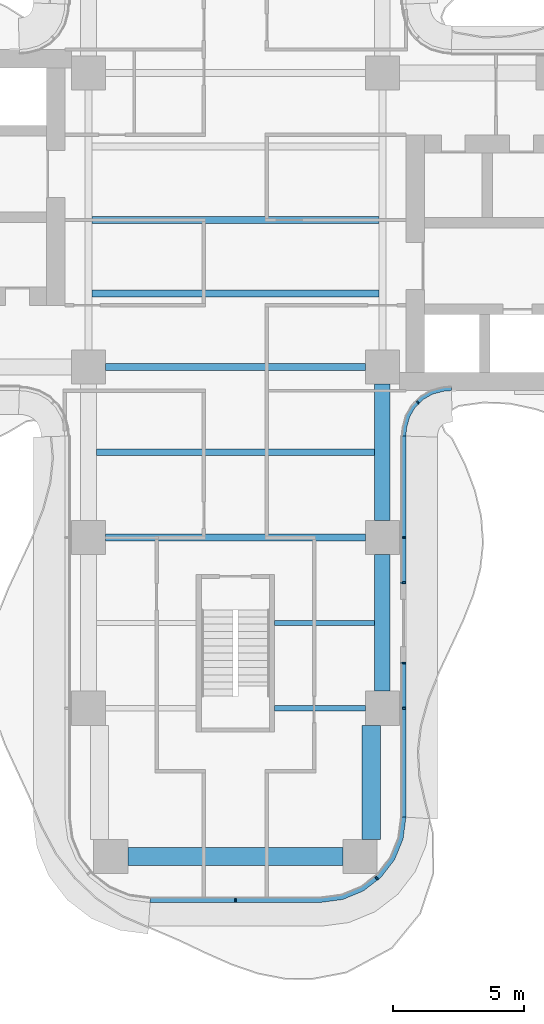
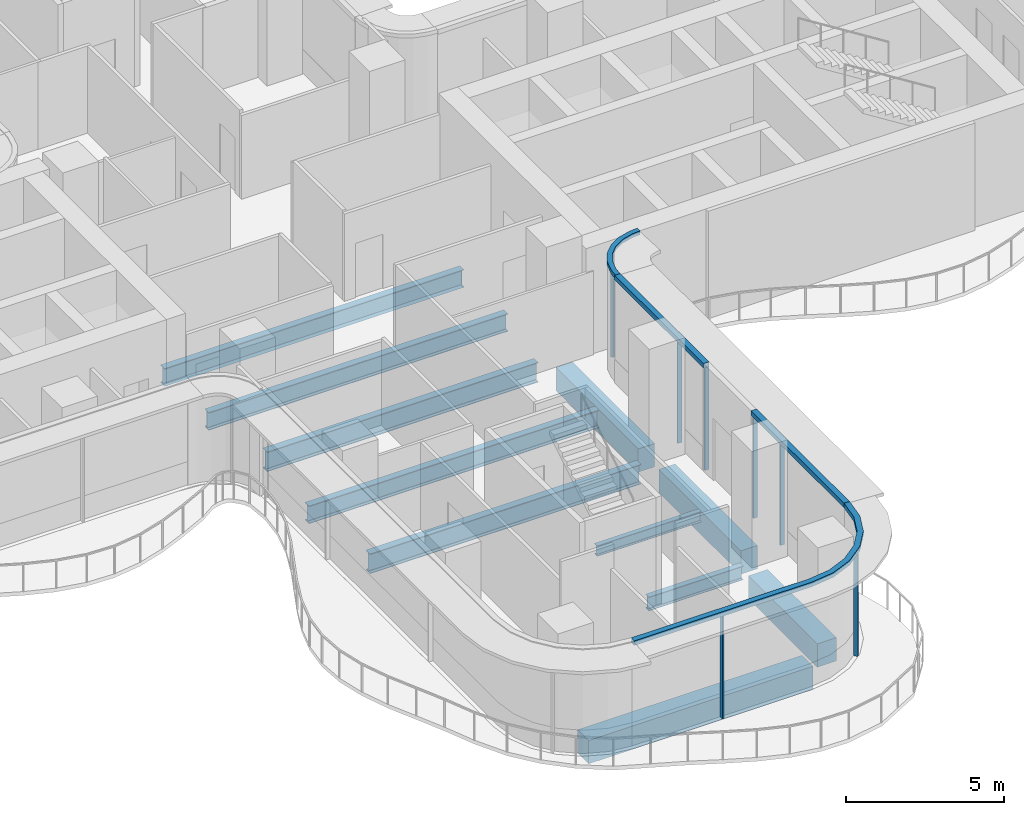
# One storey, part 5 of 20: 11 beams, 11 members, 4 elements without a shape of their own.
"""IFC4 building model written with IfcOpenShell, lengths in metres."""

from ifc_helpers import new_model, si_unit, direction, frame, origin, origin_2d, place, context, subcontext, project, spatial, polyline, rectangle, i_section, outline, extrude, source, transform, mapped, material, layer, layer_set, material_profile, profile_set, type_object, element, aggregate, save


model = new_model("IFC4")

# Units and contexts
model_context = context("Model", 3, precision=1e-05, world=origin(), true_north=direction((0.0, 1.0)))
body_context = subcontext(model_context, "Body", "Model", "MODEL_VIEW")
ifc_project = project(units=[si_unit("LENGTHUNIT", "METRE"), si_unit("AREAUNIT", "SQUARE_METRE"), si_unit("VOLUMEUNIT", "CUBIC_METRE"), si_unit("PLANEANGLEUNIT", "RADIAN"), si_unit("MASSUNIT", "GRAM", prefix="KILO")], contexts=[model_context])

# Site, building, storey
site_placement = place(None, origin())
site = spatial("IfcSite", under=ifc_project, at=site_placement, CompositionType="ELEMENT")
building_placement = place(site_placement, origin())
building = spatial("IfcBuilding", under=site, at=building_placement, Name="Trellis Farm Tower", CompositionType="ELEMENT")
storey_placement = place(building_placement, frame((0.0, 0.0, 151.5)))
storey = spatial("IfcBuildingStorey", under=building, at=storey_placement, Name="L32", CompositionType="ELEMENT", Elevation=151.5)

# Beams
ifc_material_1 = material(Name="Steel S355", Category="steel")
ifc_material_profile_1 = material_profile(ifc_material_1, i_section(OverallWidth=0.253662109375, OverallDepth=0.68359375, WebThickness=0.012451171875, FlangeThickness=0.021728515625, FilletRadius=0.01513671875, at=origin_2d()), Name="UB 686x254x140")
ifc_profile_set_1 = profile_set([ifc_material_profile_1], Name="Steel S355")
beam_type_1 = type_object("IfcBeamType", Name="UB 686x254x140 joist", PredefinedType="JOIST", material=ifc_profile_set_1)
shared_shape_1 = source(origin(), body_context, "Body", "SweptSolid", [
    extrude(i_section(OverallWidth=0.253662109375, OverallDepth=0.68359375, WebThickness=0.012451171875, FlangeThickness=0.021728515625, FilletRadius=0.01513671875, at=origin_2d()), origin(), (0.0, 0.0, 1.0), 10.93310546875),
])
for number, where, z_axis, x_axis, name in (
    (1, (-5.466552734375, -2.800048828125, -0.591796875), (1.0, 0.0, 0.0), (0.0, 1.0, 0.0), "Floor beam"),
    (2, (-5.466552734375, 0.0, -0.591796875), (1.0, 0.0, 0.0), (0.0, 1.0, 0.0), "Floor beam"),
):
    element("IfcBeam", number, at=place(storey_placement, frame(where, z_axis=z_axis, x_axis=x_axis)), inside=storey, type_object=beam_type_1, Name=name, PredefinedType="JOIST", context=body_context, shape_type="MappedRepresentation", body=[
        mapped(shared_shape_1, transform((0.0, 0.0, 0.0))),
    ])
ifc_material_profile_2 = material_profile(ifc_material_1, i_section(OverallWidth=0.177978515625, OverallDepth=0.406494140625, WebThickness=0.0078125, FlangeThickness=0.0126953125, FilletRadius=0.01025390625, at=origin_2d()), Name="UB 406x178x60")
ifc_profile_set_2 = profile_set([ifc_material_profile_2], Name="Steel S355")
beam_type_2 = type_object("IfcBeamType", Name="UB 406x178x60 joist", PredefinedType="JOIST", material=ifc_profile_set_2)
shared_shape_2 = source(origin(), body_context, "Body", "SweptSolid", [
    extrude(i_section(OverallWidth=0.177978515625, OverallDepth=0.406494140625, WebThickness=0.0078125, FlangeThickness=0.0126953125, FilletRadius=0.01025390625, at=origin_2d()), origin(), (0.0, 0.0, 1.0), 3.800048828125),
])
beam_1_placement = place(storey_placement, frame((1.5, -15.35009765625, -0.453125), z_axis=(1.0, 0.0, 0.0), x_axis=(0.0, 1.0, 0.0)))
element("IfcBeam", 3, at=beam_1_placement, inside=storey, type_object=beam_type_2, Name="Floor beam", PredefinedType="JOIST", context=body_context, shape_type="MappedRepresentation", body=[
    mapped(shared_shape_2, transform((0.0, 0.0, 0.0))),
])
shared_shape_3 = source(origin(), body_context, "Body", "SweptSolid", [
    extrude(i_section(OverallWidth=0.253662109375, OverallDepth=0.68359375, WebThickness=0.012451171875, FlangeThickness=0.021728515625, FilletRadius=0.01513671875, at=origin_2d()), origin(), (0.0, 0.0, 1.0), 10.60009765625),
])
beam_2_placement = place(storey_placement, frame((-5.300048828125, -8.85009765625, -0.591796875), z_axis=(1.0, 0.0, 0.0), x_axis=(0.0, 1.0, 0.0)))
element("IfcBeam", 4, at=beam_2_placement, inside=storey, type_object=beam_type_1, Name="Floor beam", PredefinedType="JOIST", context=body_context, shape_type="MappedRepresentation", body=[
    mapped(shared_shape_3, transform((0.0, 0.0, 0.0))),
])
ifc_material_profile_3 = material_profile(ifc_material_1, i_section(OverallWidth=0.209228515625, OverallDepth=0.533203125, WebThickness=0.010009765625, FlangeThickness=0.015625, FilletRadius=0.0126953125, at=origin_2d()), Name="UB 533x210x92")
ifc_profile_set_3 = profile_set([ifc_material_profile_3], Name="Steel S355")
beam_type_3 = type_object("IfcBeamType", Name="UB 533x210x92", PredefinedType="BEAM", material=ifc_profile_set_3)
shared_shape_4 = source(origin(), body_context, "Body", "SweptSolid", [
    extrude(i_section(OverallWidth=0.209228515625, OverallDepth=0.533203125, WebThickness=0.010009765625, FlangeThickness=0.015625, FilletRadius=0.0126953125, at=origin_2d()), origin(), (0.0, 0.0, 1.0), 3.449951171875),
])
beam_3_placement = place(storey_placement, frame((1.5, -18.60009765625, -0.5166015625), z_axis=(1.0, 0.0, 0.0), x_axis=(0.0, 1.0, 0.0)))
element("IfcBeam", 5, at=beam_3_placement, inside=storey, type_object=beam_type_3, Name="Girder", PredefinedType="BEAM", context=body_context, shape_type="MappedRepresentation", body=[
    mapped(shared_shape_4, transform((0.0, 0.0, 0.0))),
])
ifc_material_profile_4 = material_profile(ifc_material_1, i_section(OverallWidth=0.2666015625, OverallDepth=0.76220703125, WebThickness=0.014404296875, FlangeThickness=0.021484375, FilletRadius=0.0166015625, at=origin_2d()), Name="UB 762x267x173")
ifc_profile_set_4 = profile_set([ifc_material_profile_4], Name="Steel S355")
beam_type_4 = type_object("IfcBeamType", Name="UB 762x267x173", PredefinedType="BEAM", material=ifc_profile_set_4)
shared_shape_5 = source(origin(), body_context, "Body", "SweptSolid", [
    extrude(i_section(OverallWidth=0.2666015625, OverallDepth=0.76220703125, WebThickness=0.014404296875, FlangeThickness=0.021484375, FilletRadius=0.0166015625, at=origin_2d()), origin(), (0.0, 0.0, 1.0), 9.89990234375),
])
for number, where, z_axis, x_axis, name in (
    (6, (-4.949951171875, -12.10009765625, -0.631103515625), (1.0, 0.0, 0.0), (0.0, 1.0, 0.0), "Girder"),
    (7, (-4.949951171875, -5.60009765625, -0.631103515625), (1.0, 0.0, 0.0), (0.0, 1.0, 0.0), "Girder"),
):
    element("IfcBeam", number, at=place(storey_placement, frame(where, z_axis=z_axis, x_axis=x_axis)), inside=storey, type_object=beam_type_4, Name=name, PredefinedType="BEAM", context=body_context, shape_type="MappedRepresentation", body=[
        mapped(shared_shape_5, transform((0.0, 0.0, 0.0))),
    ])
ifc_material_2 = material(Name="Concrete C60/75", Category="concrete")
ifc_material_profile_5 = material_profile(ifc_material_2, rectangle(XDim=0.60009765625, YDim=0.89990234375, at=origin_2d()), Name="RC spandrel beam 600x900 C60/75")
ifc_profile_set_5 = profile_set([ifc_material_profile_5], Name="Concrete C60/75")
beam_type_5 = type_object("IfcBeamType", Name="RC spandrel beam 600x900 C60/75", PredefinedType="SPANDREL", material=ifc_profile_set_5)
shared_shape_6 = source(origin(), body_context, "Body", "SweptSolid", [
    extrude(rectangle(XDim=0.60009765625, YDim=0.89990234375, at=origin_2d()), origin(), (0.0, 0.0, 1.0), 5.199951171875),
])
for number, where, z_axis, x_axis, name in (
    (8, (5.60009765625, -17.949951171875, -0.699951171875), (0.0, 1.0, 0.0), (-1.0, 0.0, 0.0), "Girder"),
    (9, (5.60009765625, -11.449951171875, -0.699951171875), (0.0, 1.0, 0.0), (-1.0, 0.0, 0.0), "Girder"),
):
    element("IfcBeam", number, at=place(storey_placement, frame(where, z_axis=z_axis, x_axis=x_axis)), inside=storey, type_object=beam_type_5, Name=name, PredefinedType="SPANDREL", context=body_context, shape_type="MappedRepresentation", body=[
        mapped(shared_shape_6, transform((0.0, 0.0, 0.0))),
    ])
ifc_material_profile_6 = material_profile(ifc_material_2, rectangle(XDim=0.699951171875, YDim=0.89990234375, at=origin_2d()), Name="RC spandrel beam 700x900 C60/75")
ifc_profile_set_6 = profile_set([ifc_material_profile_6], Name="Concrete C60/75")
beam_type_6 = type_object("IfcBeamType", Name="RC spandrel beam 700x900 C60/75", PredefinedType="SPANDREL", material=ifc_profile_set_6)
shared_shape_7 = source(origin(), body_context, "Body", "SweptSolid", [
    extrude(rectangle(XDim=0.699951171875, YDim=0.89990234375, at=origin_2d()), origin(), (0.0, 0.0, 1.0), 4.35009765625),
])
beam_4_placement = place(storey_placement, frame((5.175048828125, -23.60009765625, -0.699951171875), z_axis=(0.0, 1.0, 0.0), x_axis=(-1.0, 0.0, 0.0)))
element("IfcBeam", 10, at=beam_4_placement, inside=storey, type_object=beam_type_6, Name="Girder", PredefinedType="SPANDREL", context=body_context, shape_type="MappedRepresentation", body=[
    mapped(shared_shape_7, transform((0.0, 0.0, 0.0))),
])
shared_shape_8 = source(origin(), body_context, "Body", "SweptSolid", [
    extrude(rectangle(XDim=0.699951171875, YDim=0.89990234375, at=origin_2d()), origin(), (0.0, 0.0, 1.0), 8.2001953125),
])
beam_5_placement = place(storey_placement, frame((-4.10009765625, -24.25, -0.699951171875), z_axis=(1.0, 0.0, 0.0), x_axis=(0.0, 1.0, 0.0)))
element("IfcBeam", 11, at=beam_5_placement, inside=storey, type_object=beam_type_6, Name="Girder", PredefinedType="SPANDREL", context=body_context, shape_type="MappedRepresentation", body=[
    mapped(shared_shape_8, transform((0.0, 0.0, 0.0))),
])

# Curtain wall, member
ifc_material_3 = material(Name="Aluminium and glass curtain wall", Category="aluminium")
ifc_layer_1 = layer(ifc_material_3, 0.166015625)
ifc_layer_set_1 = layer_set([ifc_layer_1], Name="WINTER GARDEN CURTAIN WALL CW3")
curtain_wall_type_1 = type_object("IfcCurtainWallType", Name="WINTER GARDEN CURTAIN WALL CW3", PredefinedType="NOTDEFINED", material=ifc_layer_set_1)
placement_1 = place(storey_placement, origin())
curtain_wall_1 = element("IfcCurtainWall", 12, at=placement_1, inside=storey, type_object=curtain_wall_type_1, Name="CW3 002", PredefinedType="NOTDEFINED")
ifc_material_4 = material(Name="Aluminium extrusion 6063-T6", Category="aluminium")
ifc_layer_2 = layer(ifc_material_4, 0.169921875)
ifc_layer_set_2 = layer_set([ifc_layer_2], Name="Aluminium extrusion 6063-T6")
member_type_1 = type_object("IfcMemberType", Name="CW3 TRANSOM 170x150", PredefinedType="USERDEFINED", material=ifc_layer_set_2)
shared_shape_9 = source(origin(), body_context, "Body", "SweptSolid", [
    extrude(outline(polyline([(6.5, -8.2314453125), (6.513916015625, -8.01953125), (6.527587890625, -7.91552734375), (6.63671875, -7.508544921875), (6.846923828125, -7.144287109375), (7.144287109375, -6.846923828125), (7.508544921875, -6.63671875), (7.91552734375, -6.527587890625), (8.01953125, -6.513916015625), (8.2314453125, -6.5), (8.225830078125, -6.330078125), (8.0029296875, -6.3447265625), (7.88232421875, -6.360595703125), (7.44287109375, -6.478271484375), (7.0400390625, -6.7109375), (6.7109375, -7.0400390625), (6.478271484375, -7.44287109375), (6.360595703125, -7.88232421875), (6.3447265625, -8.0029296875), (6.330078125, -8.225830078125), (6.5, -8.2314453125)])), origin(), (0.0, 0.0, 1.0), 0.14990234375),
])
member_1_placement = place(storey_placement, frame((0.0, 0.0, 4.0)))
member_1 = element("IfcMember", 13, at=member_1_placement, type_object=member_type_1, Name="TR3 002", ObjectType="TRANSOM", PredefinedType="USERDEFINED", context=body_context, shape_type="MappedRepresentation", body=[
    mapped(shared_shape_9, transform((0.0, 0.0, 0.0))),
])

# Curtain wall, members
ifc_layer_3 = layer(ifc_material_3, 0.18994140625)
ifc_layer_set_3 = layer_set([ifc_layer_3], Name="RIBBON CURTAIN WALL CW1")
curtain_wall_type_2 = type_object("IfcCurtainWallType", Name="RIBBON CURTAIN WALL CW1", PredefinedType="NOTDEFINED", material=ifc_layer_set_3)
curtain_wall_2 = element("IfcCurtainWall", 14, at=placement_1, inside=storey, type_object=curtain_wall_type_2, Name="CW1 003", PredefinedType="NOTDEFINED")
ifc_layer_4 = layer(ifc_material_4, 0.199951171875)
ifc_layer_set_4 = layer_set([ifc_layer_4], Name="Aluminium extrusion 6063-T6")
member_type_2 = type_object("IfcMemberType", Name="CW1 TRANSOM 200x180", PredefinedType="USERDEFINED", material=ifc_layer_set_4)
shared_shape_10 = source(origin(), body_context, "Body", "SweptSolid", [
    extrude(outline(polyline([(-3.25, -26.0), (3.25, -26.0), (4.091064453125, -25.88916015625), (4.875, -25.564697265625), (5.548095703125, -25.048095703125), (6.064697265625, -24.375), (6.38916015625, -23.591064453125), (6.5, -22.75), (6.300048828125, -22.73681640625), (6.1943359375, -23.5390625), (5.889892578125, -24.274169921875), (5.405517578125, -24.905517578125), (4.774169921875, -25.389892578125), (4.0390625, -25.6943359375), (3.23681640625, -25.800048828125), (-3.23681640625, -25.800048828125), (-3.25, -26.0)])), origin(), (0.0, 0.0, 1.0), 0.179931640625),
])
placement_2 = place(storey_placement, frame((0.0, 0.0, 3.969970703125)))
member_2 = element("IfcMember", 15, at=placement_2, type_object=member_type_2, Name="TR1 003", ObjectType="TRANSOM", PredefinedType="USERDEFINED", context=body_context, shape_type="MappedRepresentation", body=[
    mapped(shared_shape_10, transform((0.0, 0.0, 0.0))),
])
ifc_material_profile_7 = material_profile(ifc_material_4, rectangle(XDim=0.06005859375, YDim=0.14990234375, at=origin_2d()), Name="MULLION 60x150")
ifc_profile_set_7 = profile_set([ifc_material_profile_7], Name="Aluminium extrusion 6063-T6")
member_type_3 = type_object("IfcMemberType", Name="CW1 MULLION 60x150", PredefinedType="MULLION", material=ifc_profile_set_7)
shared_shape_11 = source(origin(), body_context, "Body", "SweptSolid", [
    extrude(rectangle(XDim=0.06005859375, YDim=0.14990234375, at=origin_2d()), origin(), (0.0, 0.0, 1.0), 3.969970703125),
])
member_3_placement = place(storey_placement, frame((0.0, -25.925048828125, 0.0), z_axis=(0.0, 0.0, 1.0), x_axis=(1.0, 0.0, 0.0)))
member_3 = element("IfcMember", 16, at=member_3_placement, type_object=member_type_3, Name="MU1 003-01", PredefinedType="MULLION", context=body_context, shape_type="MappedRepresentation", body=[
    mapped(shared_shape_11, transform((0.0, 0.0, 0.0))),
])
member_4_placement = place(storey_placement, frame((5.385498046875, -25.078369140625, 0.0), z_axis=(0.0, 0.0, 1.0), x_axis=(0.793353340291, 0.608761429009, 0.0)))
member_4 = element("IfcMember", 17, at=member_4_placement, type_object=member_type_3, Name="MU1 003-02", PredefinedType="MULLION", context=body_context, shape_type="MappedRepresentation", body=[
    mapped(shared_shape_11, transform((0.0, 0.0, 0.0))),
])
aggregate(curtain_wall_2, [member_3, member_4, member_2])

curtain_wall_3 = element("IfcCurtainWall", 18, at=placement_1, inside=storey, type_object=curtain_wall_type_2, Name="CW1 004", PredefinedType="NOTDEFINED")
member_5_placement = place(storey_placement, frame((6.425048828125, -18.60009765625, 0.0), z_axis=(0.0, 0.0, 1.0), x_axis=(0.0, 1.0, 0.0)))
member_5 = element("IfcMember", 19, at=member_5_placement, type_object=member_type_3, Name="MU1 004-01", PredefinedType="MULLION", context=body_context, shape_type="MappedRepresentation", body=[
    mapped(shared_shape_11, transform((0.0, 0.0, 0.0))),
])
member_6_placement = place(storey_placement, frame((6.425048828125, -16.8798828125, 0.0), z_axis=(0.0, 0.0, 1.0), x_axis=(0.0, 1.0, 0.0)))
member_6 = element("IfcMember", 20, at=member_6_placement, type_object=member_type_3, Name="MU1 004-02", PredefinedType="MULLION", context=body_context, shape_type="MappedRepresentation", body=[
    mapped(shared_shape_11, transform((0.0, 0.0, 0.0))),
])

curtain_wall_4 = element("IfcCurtainWall", 21, at=placement_1, inside=storey, type_object=curtain_wall_type_2, Name="CW1 005", PredefinedType="NOTDEFINED")
member_7_placement = place(storey_placement, frame((6.425048828125, -13.820068359375, 0.0), z_axis=(0.0, 0.0, 1.0), x_axis=(0.0, 1.0, 0.0)))
member_7 = element("IfcMember", 22, at=member_7_placement, type_object=member_type_3, Name="MU1 005-01", PredefinedType="MULLION", context=body_context, shape_type="MappedRepresentation", body=[
    mapped(shared_shape_11, transform((0.0, 0.0, 0.0))),
])
member_8_placement = place(storey_placement, frame((6.425048828125, -12.10009765625, 0.0), z_axis=(0.0, 0.0, 1.0), x_axis=(0.0, 1.0, 0.0)))
member_8 = element("IfcMember", 23, at=member_8_placement, type_object=member_type_3, Name="MU1 005-02", PredefinedType="MULLION", context=body_context, shape_type="MappedRepresentation", body=[
    mapped(shared_shape_11, transform((0.0, 0.0, 0.0))),
])

# Member
ifc_material_profile_8 = material_profile(ifc_material_4, rectangle(XDim=0.050048828125, YDim=0.1201171875, at=origin_2d()), Name="MULLION 50x120")
ifc_profile_set_8 = profile_set([ifc_material_profile_8], Name="Aluminium extrusion 6063-T6")
member_type_4 = type_object("IfcMemberType", Name="CW3 MULLION 50x120", PredefinedType="MULLION", material=ifc_profile_set_8)
shared_shape_12 = source(origin(), body_context, "Body", "SweptSolid", [
    extrude(rectangle(XDim=0.050048828125, YDim=0.1201171875, at=origin_2d()), origin(), (0.0, 0.0, 1.0), 4.0),
])
member_9_placement = place(storey_placement, frame((6.953125, -6.953125, 0.0), z_axis=(0.0, 0.0, 1.0), x_axis=(0.707106781187, 0.707106781187, 0.0)))
member_9 = element("IfcMember", 24, at=member_9_placement, type_object=member_type_4, Name="MU3 002-01", PredefinedType="MULLION", context=body_context, shape_type="MappedRepresentation", body=[
    mapped(shared_shape_12, transform((0.0, 0.0, 0.0))),
])

aggregate(curtain_wall_1, [member_9, member_1])

shared_shape_13 = source(origin(), body_context, "Body", "SweptSolid", [
    extrude(outline(polyline([(6.5, -22.75), (6.5, -16.85009765625), (6.300048828125, -16.85009765625), (6.300048828125, -22.73681640625), (6.5, -22.75)])), origin(), (0.0, 0.0, 1.0), 0.179931640625),
])
member_10 = element("IfcMember", 25, at=placement_2, type_object=member_type_2, Name="TR1 004", ObjectType="TRANSOM", PredefinedType="USERDEFINED", context=body_context, shape_type="MappedRepresentation", body=[
    mapped(shared_shape_13, transform((0.0, 0.0, 0.0))),
])

aggregate(curtain_wall_3, [member_5, member_6, member_10])

shared_shape_14 = source(origin(), body_context, "Body", "SweptSolid", [
    extrude(outline(polyline([(6.5, -13.85009765625), (6.5, -8.2314453125), (6.300048828125, -8.224853515625), (6.300048828125, -13.85009765625), (6.5, -13.85009765625)])), origin(), (0.0, 0.0, 1.0), 0.179931640625),
])
member_11 = element("IfcMember", 26, at=placement_2, type_object=member_type_2, Name="TR1 005", ObjectType="TRANSOM", PredefinedType="USERDEFINED", context=body_context, shape_type="MappedRepresentation", body=[
    mapped(shared_shape_14, transform((0.0, 0.0, 0.0))),
])

aggregate(curtain_wall_4, [member_7, member_8, member_11])

save(model, "model.ifc")
